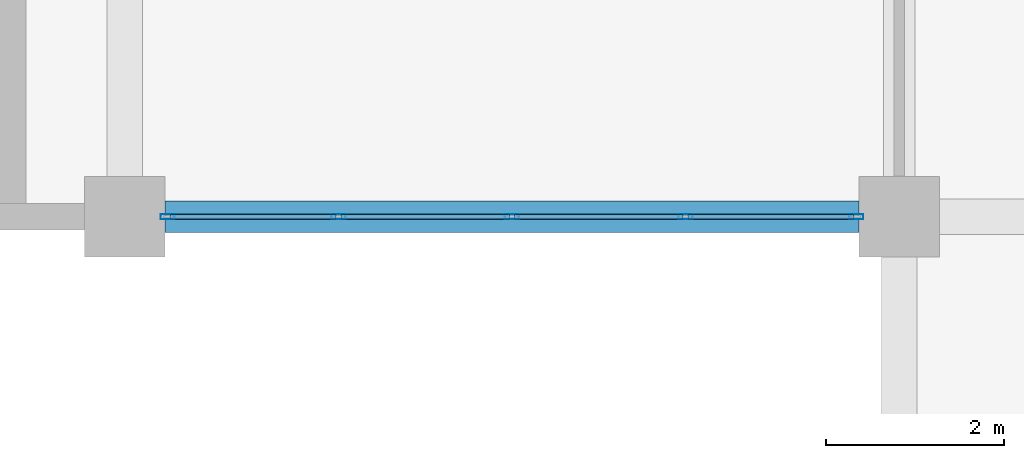
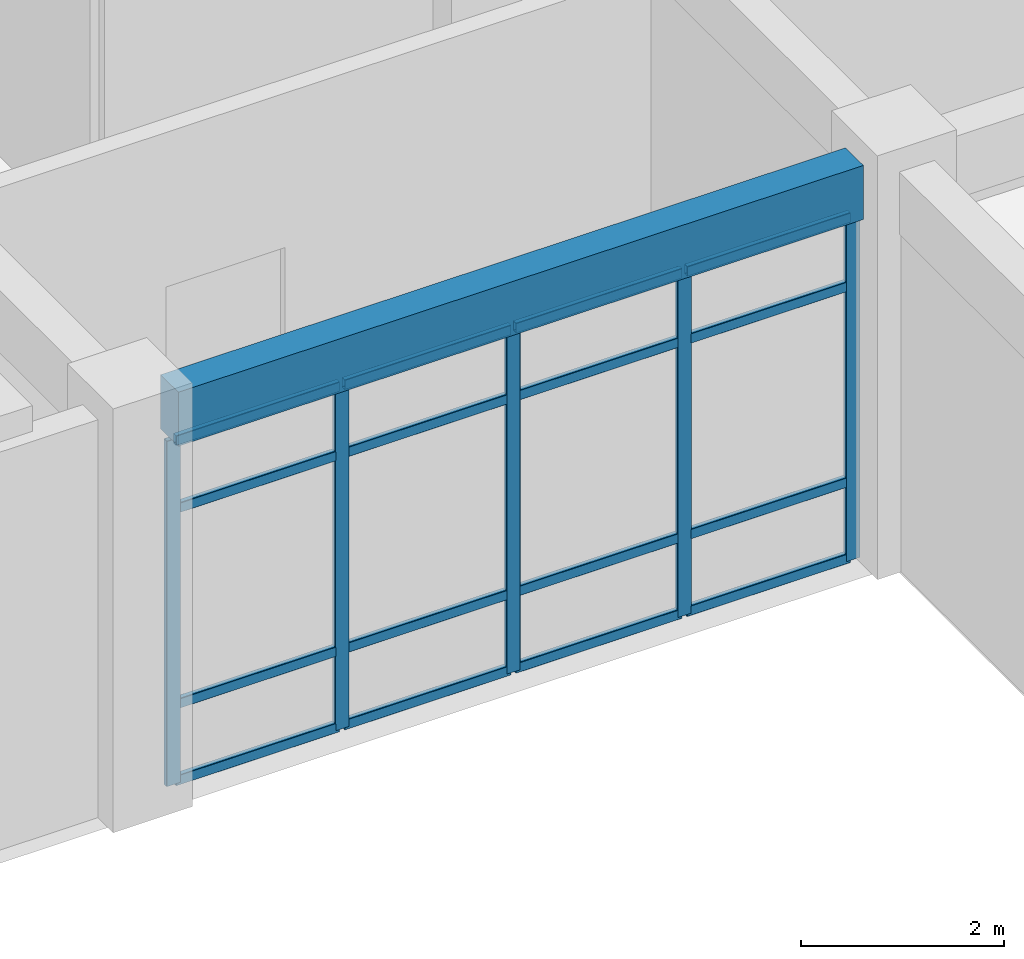
# One storey, part 42 of 120: 21 members, 1 beam, 1 element without a shape of its own.
"""IFC4 building model written with IfcOpenShell, lengths in metres."""

from ifc_helpers import new_model, si_unit, derived_unit, direction, frame, origin, origin_2d, place, context, subcontext, project, spatial, rectangle, hollow_rectangle, extrude, material, layer, layer_set, material_profile, profile_set, type_object, element, aggregate, save


model = new_model("IFC4")

# Units and contexts
model_context = context("Model", 3, precision=1e-05, world=origin(), true_north=direction((0.0, 1.0)))
body_context = subcontext(model_context, "Body", "Model", "MODEL_VIEW")
ifc_project = project(units=[si_unit("LENGTHUNIT", "METRE"), si_unit("AREAUNIT", "SQUARE_METRE"), si_unit("VOLUMEUNIT", "CUBIC_METRE"), si_unit("PLANEANGLEUNIT", "RADIAN"), si_unit("MASSUNIT", "GRAM", prefix="KILO"), derived_unit("THERMALTRANSMITTANCEUNIT", [(si_unit("MASSUNIT", "GRAM", prefix="KILO"), 1), (si_unit("TIMEUNIT", "SECOND"), -3), (si_unit("THERMODYNAMICTEMPERATUREUNIT", "KELVIN"), -1)])], contexts=[model_context])

# Site, building, storey
site_placement = place(None, origin())
site = spatial("IfcSite", under=ifc_project, at=site_placement, CompositionType="ELEMENT")
building_placement = place(site_placement, origin())
building = spatial("IfcBuilding", under=site, at=building_placement, Name="Qinzheling Arcade Emporium", CompositionType="ELEMENT")
storey_placement = place(building_placement, frame((0.0, 0.0, 11.39990234375)))
storey = spatial("IfcBuildingStorey", under=building, at=storey_placement, Name="L03", CompositionType="ELEMENT", Elevation=11.39990234375)

# Curtain wall, members
ifc_material_1 = material(Name="Anodised aluminium and solar-control double glazing", Category="aluminium")
ifc_layer = layer(ifc_material_1, 0.159912109375, Name="Anodised aluminium and solar-control double glazing", Category="aluminium")
ifc_layer_set = layer_set([ifc_layer], Name="Anodised aluminium and solar-control double glazing")
curtain_wall_type = type_object("IfcCurtainWallType", Name="Atrium Clerestory Curtain Wall", PredefinedType="NOTDEFINED", material=ifc_layer_set)
curtain_wall_placement = place(storey_placement, origin())
curtain_wall = element("IfcCurtainWall", 1, at=curtain_wall_placement, inside=storey, type_object=curtain_wall_type, Name="Curtain Wall CW-L03-142", PredefinedType="NOTDEFINED")
ifc_material_2 = material(Name="Anodised aluminium 6063-T6", Category="aluminium")
ifc_material_profile_1 = material_profile(ifc_material_2, hollow_rectangle(XDim=0.06005859375, YDim=0.159912109375, WallThickness=0.00390625, InnerFilletRadius=0.00390625, OuterFilletRadius=0.008056640625, at=origin_2d()), Name="RHS 160x60x4", Category="aluminium")
ifc_profile_set_1 = profile_set([ifc_material_profile_1], Name="Anodised aluminium 6063-T6")
member_type_1 = type_object("IfcMemberType", Name="Curtain Wall Mullion RHS160x60", PredefinedType="MULLION", material=ifc_profile_set_1)
member_1_placement = place(storey_placement, frame((103.91796875, 42.0, 0.0), z_axis=(0.0, 0.0, 1.0), x_axis=(0.0, -1.0, 0.0)))
member_1 = element("IfcMember", 2, at=member_1_placement, type_object=member_type_1, Name="CW03 mullion 1", PredefinedType="MULLION", context=body_context, shape_type="SweptSolid", body=[
    extrude(hollow_rectangle(XDim=0.06005859375, YDim=0.159912109375, WallThickness=0.00390625, InnerFilletRadius=0.00390625, OuterFilletRadius=0.008056640625, at=origin_2d()), origin(), (0.0, 0.0, 1.0), 4.155029296875),
])
member_2_placement = place(storey_placement, frame((101.9990234375, 42.0, 0.0), z_axis=(0.0, 0.0, 1.0), x_axis=(0.0, -1.0, 0.0)))
member_2 = element("IfcMember", 3, at=member_2_placement, type_object=member_type_1, Name="CW03 mullion 2", PredefinedType="MULLION", context=body_context, shape_type="SweptSolid", body=[
    extrude(hollow_rectangle(XDim=0.06005859375, YDim=0.159912109375, WallThickness=0.00390625, InnerFilletRadius=0.00390625, OuterFilletRadius=0.008056640625, at=origin_2d()), origin(), (0.0, 0.0, 1.0), 4.155029296875),
])
member_3_placement = place(storey_placement, frame((100.050048828125, 42.0, 0.0), z_axis=(0.0, 0.0, 1.0), x_axis=(0.0, -1.0, 0.0)))
member_3 = element("IfcMember", 4, at=member_3_placement, type_object=member_type_1, Name="CW03 mullion 3", PredefinedType="MULLION", context=body_context, shape_type="SweptSolid", body=[
    extrude(hollow_rectangle(XDim=0.06005859375, YDim=0.159912109375, WallThickness=0.00390625, InnerFilletRadius=0.00390625, OuterFilletRadius=0.008056640625, at=origin_2d()), origin(), (0.0, 0.0, 1.0), 4.155029296875),
])
member_4_placement = place(storey_placement, frame((98.10107421875, 42.0, 0.0), z_axis=(0.0, 0.0, 1.0), x_axis=(0.0, -1.0, 0.0)))
member_4 = element("IfcMember", 5, at=member_4_placement, type_object=member_type_1, Name="CW03 mullion 4", PredefinedType="MULLION", context=body_context, shape_type="SweptSolid", body=[
    extrude(hollow_rectangle(XDim=0.06005859375, YDim=0.159912109375, WallThickness=0.00390625, InnerFilletRadius=0.00390625, OuterFilletRadius=0.008056640625, at=origin_2d()), origin(), (0.0, 0.0, 1.0), 4.155029296875),
])
member_5_placement = place(storey_placement, frame((96.181884765625, 42.0, 0.0), z_axis=(0.0, 0.0, 1.0), x_axis=(0.0, -1.0, 0.0)))
member_5 = element("IfcMember", 6, at=member_5_placement, type_object=member_type_1, Name="CW03 mullion 5", PredefinedType="MULLION", context=body_context, shape_type="SweptSolid", body=[
    extrude(hollow_rectangle(XDim=0.06005859375, YDim=0.159912109375, WallThickness=0.00390625, InnerFilletRadius=0.00390625, OuterFilletRadius=0.008056640625, at=origin_2d()), origin(), (0.0, 0.0, 1.0), 4.155029296875),
])
ifc_material_profile_2 = material_profile(ifc_material_2, hollow_rectangle(XDim=0.06005859375, YDim=0.1201171875, WallThickness=0.00390625, InnerFilletRadius=0.00390625, OuterFilletRadius=0.008056640625, at=origin_2d()), Name="RHS 120x60x4", Category="aluminium")
ifc_profile_set_2 = profile_set([ifc_material_profile_2], Name="Anodised aluminium 6063-T6")
member_type_2 = type_object("IfcMemberType", Name="Curtain Wall Transom RHS120x60", PredefinedType="USERDEFINED", material=ifc_profile_set_2)
member_6_placement = place(storey_placement, frame((103.887939453125, 42.0, 0.030029296875), z_axis=(-1.0, 0.0, 0.0), x_axis=(0.0, -1.0, 0.0)))
member_6 = element("IfcMember", 7, at=member_6_placement, type_object=member_type_2, Name="CW03 transom 1.1", ObjectType="TRANSOM", PredefinedType="USERDEFINED", context=body_context, shape_type="SweptSolid", body=[
    extrude(hollow_rectangle(XDim=0.06005859375, YDim=0.1201171875, WallThickness=0.00390625, InnerFilletRadius=0.00390625, OuterFilletRadius=0.008056640625, at=origin_2d()), origin(), (0.0, 0.0, 1.0), 1.85888671875),
])
member_7_placement = place(storey_placement, frame((103.887939453125, 42.0, 0.9501953125), z_axis=(-1.0, 0.0, 0.0), x_axis=(0.0, -1.0, 0.0)))
member_7 = element("IfcMember", 8, at=member_7_placement, type_object=member_type_2, Name="CW03 transom 1.2", ObjectType="TRANSOM", PredefinedType="USERDEFINED", context=body_context, shape_type="SweptSolid", body=[
    extrude(hollow_rectangle(XDim=0.06005859375, YDim=0.1201171875, WallThickness=0.00390625, InnerFilletRadius=0.00390625, OuterFilletRadius=0.008056640625, at=origin_2d()), origin(), (0.0, 0.0, 1.0), 1.85888671875),
])
member_8_placement = place(storey_placement, frame((103.887939453125, 42.0, 3.30517578125), z_axis=(-1.0, 0.0, 0.0), x_axis=(0.0, -1.0, 0.0)))
member_8 = element("IfcMember", 9, at=member_8_placement, type_object=member_type_2, Name="CW03 transom 1.3", ObjectType="TRANSOM", PredefinedType="USERDEFINED", context=body_context, shape_type="SweptSolid", body=[
    extrude(hollow_rectangle(XDim=0.06005859375, YDim=0.1201171875, WallThickness=0.00390625, InnerFilletRadius=0.00390625, OuterFilletRadius=0.008056640625, at=origin_2d()), origin(), (0.0, 0.0, 1.0), 1.85888671875),
])
member_9_placement = place(storey_placement, frame((103.887939453125, 42.0, 4.125), z_axis=(-1.0, 0.0, 0.0), x_axis=(0.0, -1.0, 0.0)))
member_9 = element("IfcMember", 10, at=member_9_placement, type_object=member_type_2, Name="CW03 transom 1.4", ObjectType="TRANSOM", PredefinedType="USERDEFINED", context=body_context, shape_type="SweptSolid", body=[
    extrude(hollow_rectangle(XDim=0.06005859375, YDim=0.1201171875, WallThickness=0.00390625, InnerFilletRadius=0.00390625, OuterFilletRadius=0.008056640625, at=origin_2d()), origin(), (0.0, 0.0, 1.0), 1.85888671875),
])
member_10_placement = place(storey_placement, frame((101.968994140625, 42.0, 0.030029296875), z_axis=(-1.0, 0.0, 0.0), x_axis=(0.0, -1.0, 0.0)))
member_10 = element("IfcMember", 11, at=member_10_placement, type_object=member_type_2, Name="CW03 transom 2.1", ObjectType="TRANSOM", PredefinedType="USERDEFINED", context=body_context, shape_type="SweptSolid", body=[
    extrude(hollow_rectangle(XDim=0.06005859375, YDim=0.1201171875, WallThickness=0.00390625, InnerFilletRadius=0.00390625, OuterFilletRadius=0.008056640625, at=origin_2d()), origin(), (0.0, 0.0, 1.0), 1.888916015625),
])
member_11_placement = place(storey_placement, frame((101.968994140625, 42.0, 0.9501953125), z_axis=(-1.0, 0.0, 0.0), x_axis=(0.0, -1.0, 0.0)))
member_11 = element("IfcMember", 12, at=member_11_placement, type_object=member_type_2, Name="CW03 transom 2.2", ObjectType="TRANSOM", PredefinedType="USERDEFINED", context=body_context, shape_type="SweptSolid", body=[
    extrude(hollow_rectangle(XDim=0.06005859375, YDim=0.1201171875, WallThickness=0.00390625, InnerFilletRadius=0.00390625, OuterFilletRadius=0.008056640625, at=origin_2d()), origin(), (0.0, 0.0, 1.0), 1.888916015625),
])
member_12_placement = place(storey_placement, frame((101.968994140625, 42.0, 3.30517578125), z_axis=(-1.0, 0.0, 0.0), x_axis=(0.0, -1.0, 0.0)))
member_12 = element("IfcMember", 13, at=member_12_placement, type_object=member_type_2, Name="CW03 transom 2.3", ObjectType="TRANSOM", PredefinedType="USERDEFINED", context=body_context, shape_type="SweptSolid", body=[
    extrude(hollow_rectangle(XDim=0.06005859375, YDim=0.1201171875, WallThickness=0.00390625, InnerFilletRadius=0.00390625, OuterFilletRadius=0.008056640625, at=origin_2d()), origin(), (0.0, 0.0, 1.0), 1.888916015625),
])
member_13_placement = place(storey_placement, frame((101.968994140625, 42.0, 4.125), z_axis=(-1.0, 0.0, 0.0), x_axis=(0.0, -1.0, 0.0)))
member_13 = element("IfcMember", 14, at=member_13_placement, type_object=member_type_2, Name="CW03 transom 2.4", ObjectType="TRANSOM", PredefinedType="USERDEFINED", context=body_context, shape_type="SweptSolid", body=[
    extrude(hollow_rectangle(XDim=0.06005859375, YDim=0.1201171875, WallThickness=0.00390625, InnerFilletRadius=0.00390625, OuterFilletRadius=0.008056640625, at=origin_2d()), origin(), (0.0, 0.0, 1.0), 1.888916015625),
])
member_14_placement = place(storey_placement, frame((100.02001953125, 42.0, 0.030029296875), z_axis=(-1.0, 0.0, 0.0), x_axis=(0.0, -1.0, 0.0)))
member_14 = element("IfcMember", 15, at=member_14_placement, type_object=member_type_2, Name="CW03 transom 3.1", ObjectType="TRANSOM", PredefinedType="USERDEFINED", context=body_context, shape_type="SweptSolid", body=[
    extrude(hollow_rectangle(XDim=0.06005859375, YDim=0.1201171875, WallThickness=0.00390625, InnerFilletRadius=0.00390625, OuterFilletRadius=0.008056640625, at=origin_2d()), origin(), (0.0, 0.0, 1.0), 1.888916015625),
])
member_15_placement = place(storey_placement, frame((100.02001953125, 42.0, 0.9501953125), z_axis=(-1.0, 0.0, 0.0), x_axis=(0.0, -1.0, 0.0)))
member_15 = element("IfcMember", 16, at=member_15_placement, type_object=member_type_2, Name="CW03 transom 3.2", ObjectType="TRANSOM", PredefinedType="USERDEFINED", context=body_context, shape_type="SweptSolid", body=[
    extrude(hollow_rectangle(XDim=0.06005859375, YDim=0.1201171875, WallThickness=0.00390625, InnerFilletRadius=0.00390625, OuterFilletRadius=0.008056640625, at=origin_2d()), origin(), (0.0, 0.0, 1.0), 1.888916015625),
])
member_16_placement = place(storey_placement, frame((100.02001953125, 42.0, 3.30517578125), z_axis=(-1.0, 0.0, 0.0), x_axis=(0.0, -1.0, 0.0)))
member_16 = element("IfcMember", 17, at=member_16_placement, type_object=member_type_2, Name="CW03 transom 3.3", ObjectType="TRANSOM", PredefinedType="USERDEFINED", context=body_context, shape_type="SweptSolid", body=[
    extrude(hollow_rectangle(XDim=0.06005859375, YDim=0.1201171875, WallThickness=0.00390625, InnerFilletRadius=0.00390625, OuterFilletRadius=0.008056640625, at=origin_2d()), origin(), (0.0, 0.0, 1.0), 1.888916015625),
])
member_17_placement = place(storey_placement, frame((100.02001953125, 42.0, 4.125), z_axis=(-1.0, 0.0, 0.0), x_axis=(0.0, -1.0, 0.0)))
member_17 = element("IfcMember", 18, at=member_17_placement, type_object=member_type_2, Name="CW03 transom 3.4", ObjectType="TRANSOM", PredefinedType="USERDEFINED", context=body_context, shape_type="SweptSolid", body=[
    extrude(hollow_rectangle(XDim=0.06005859375, YDim=0.1201171875, WallThickness=0.00390625, InnerFilletRadius=0.00390625, OuterFilletRadius=0.008056640625, at=origin_2d()), origin(), (0.0, 0.0, 1.0), 1.888916015625),
])
member_18_placement = place(storey_placement, frame((98.071044921875, 42.0, 0.030029296875), z_axis=(-1.0, 0.0, 0.0), x_axis=(0.0, -1.0, 0.0)))
member_18 = element("IfcMember", 19, at=member_18_placement, type_object=member_type_2, Name="CW03 transom 4.1", ObjectType="TRANSOM", PredefinedType="USERDEFINED", context=body_context, shape_type="SweptSolid", body=[
    extrude(hollow_rectangle(XDim=0.06005859375, YDim=0.1201171875, WallThickness=0.00390625, InnerFilletRadius=0.00390625, OuterFilletRadius=0.008056640625, at=origin_2d()), origin(), (0.0, 0.0, 1.0), 1.859130859375),
])
member_19_placement = place(storey_placement, frame((98.071044921875, 42.0, 0.9501953125), z_axis=(-1.0, 0.0, 0.0), x_axis=(0.0, -1.0, 0.0)))
member_19 = element("IfcMember", 20, at=member_19_placement, type_object=member_type_2, Name="CW03 transom 4.2", ObjectType="TRANSOM", PredefinedType="USERDEFINED", context=body_context, shape_type="SweptSolid", body=[
    extrude(hollow_rectangle(XDim=0.06005859375, YDim=0.1201171875, WallThickness=0.00390625, InnerFilletRadius=0.00390625, OuterFilletRadius=0.008056640625, at=origin_2d()), origin(), (0.0, 0.0, 1.0), 1.859130859375),
])
member_20_placement = place(storey_placement, frame((98.071044921875, 42.0, 3.30517578125), z_axis=(-1.0, 0.0, 0.0), x_axis=(0.0, -1.0, 0.0)))
member_20 = element("IfcMember", 21, at=member_20_placement, type_object=member_type_2, Name="CW03 transom 4.3", ObjectType="TRANSOM", PredefinedType="USERDEFINED", context=body_context, shape_type="SweptSolid", body=[
    extrude(hollow_rectangle(XDim=0.06005859375, YDim=0.1201171875, WallThickness=0.00390625, InnerFilletRadius=0.00390625, OuterFilletRadius=0.008056640625, at=origin_2d()), origin(), (0.0, 0.0, 1.0), 1.859130859375),
])
member_21_placement = place(storey_placement, frame((98.071044921875, 42.0, 4.125), z_axis=(-1.0, 0.0, 0.0), x_axis=(0.0, -1.0, 0.0)))
member_21 = element("IfcMember", 22, at=member_21_placement, type_object=member_type_2, Name="CW03 transom 4.4", ObjectType="TRANSOM", PredefinedType="USERDEFINED", context=body_context, shape_type="SweptSolid", body=[
    extrude(hollow_rectangle(XDim=0.06005859375, YDim=0.1201171875, WallThickness=0.00390625, InnerFilletRadius=0.00390625, OuterFilletRadius=0.008056640625, at=origin_2d()), origin(), (0.0, 0.0, 1.0), 1.859130859375),
])
aggregate(curtain_wall, [member_1, member_2, member_3, member_4, member_5, member_6, member_7, member_8, member_9, member_10, member_11, member_12, member_13, member_14, member_15, member_16, member_17, member_18, member_19, member_20, member_21])

# Beam
ifc_material_3 = material(Name="Concrete C40", Category="concrete")
ifc_material_profile_3 = material_profile(ifc_material_3, rectangle(XDim=0.35009765625, YDim=0.64990234375, at=origin_2d()), Name="RC 350x650", Category="concrete")
ifc_profile_set_3 = profile_set([ifc_material_profile_3], Name="Concrete C40")
beam_type = type_object("IfcBeamType", Name="RC Spandrel Edge Beam 350x650 C40", PredefinedType="SPANDREL", material=ifc_profile_set_3)
beam_placement = place(storey_placement, frame((96.14990234375, 42.0, 4.4951171875), z_axis=(1.0, 0.0, 0.0), x_axis=(0.0, 1.0, 0.0)))
element("IfcBeam", 23, at=beam_placement, inside=storey, type_object=beam_type, Name="Beam BM-L03-X-F-12", PredefinedType="SPANDREL", context=body_context, shape_type="SweptSolid", body=[
    extrude(rectangle(XDim=0.35009765625, YDim=0.64990234375, at=origin_2d()), origin(), (0.0, 0.0, 1.0), 7.800048828125),
])

save(model, "model.ifc")
